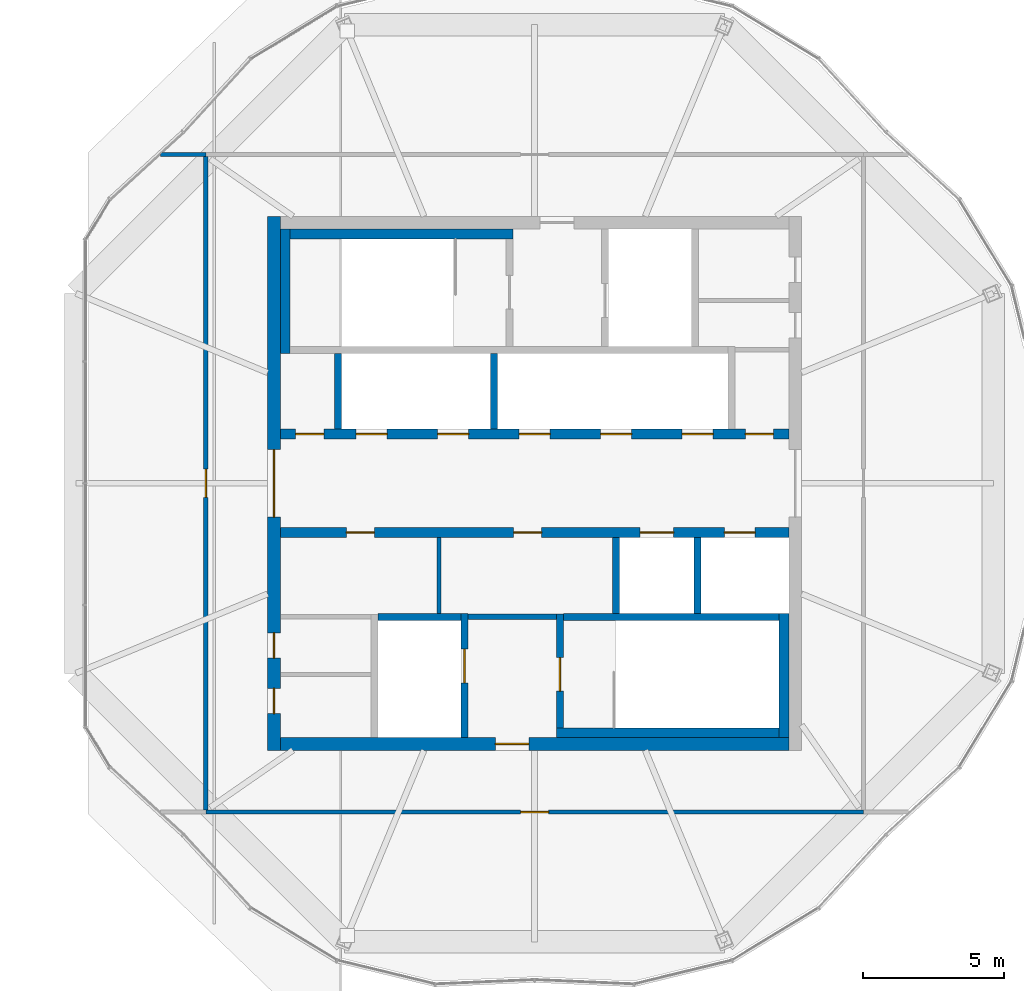
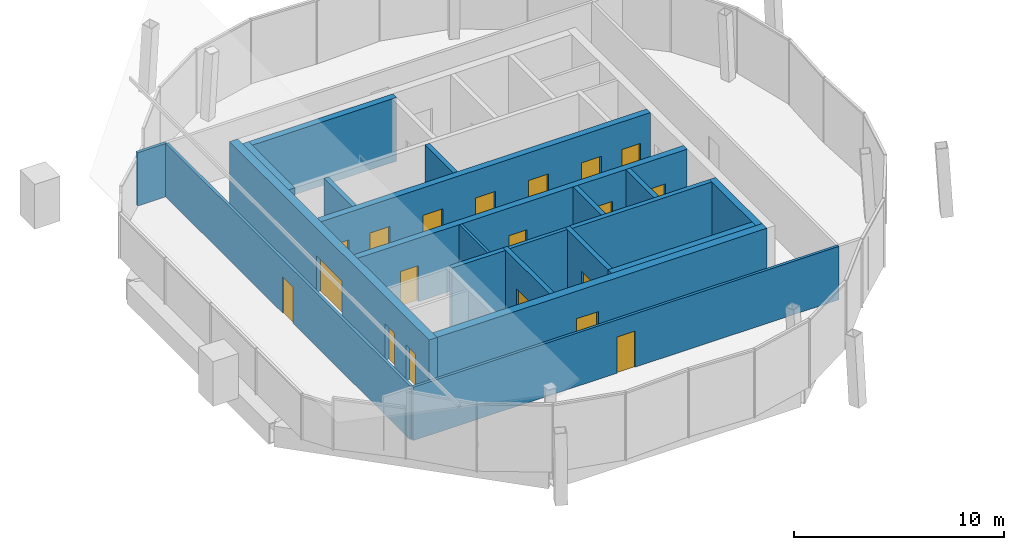
# One storey, part 19 of 23: 21 walls, 19 doors, 19 openings.
"""IFC4 building model written with IfcOpenShell, lengths in metres."""

from ifc_helpers import new_model, si_unit, direction, frame, frame_2d, origin, place, context, subcontext, project, spatial, rectangle, extrude, material, layer, layer_set, type_object, element, fill, save


model = new_model("IFC4")

# Units and contexts
model_context = context("Model", 3, precision=1e-05, world=origin(), true_north=direction((0.0, 1.0)))
body_context = subcontext(model_context, "Body", "Model", "MODEL_VIEW")
ifc_project = project(units=[si_unit("LENGTHUNIT", "METRE"), si_unit("AREAUNIT", "SQUARE_METRE"), si_unit("VOLUMEUNIT", "CUBIC_METRE"), si_unit("PLANEANGLEUNIT", "RADIAN"), si_unit("MASSUNIT", "GRAM", prefix="KILO")], contexts=[model_context])

# Site, building, storey
site_placement = place(None, origin())
site = spatial("IfcSite", under=ifc_project, at=site_placement, CompositionType="ELEMENT")
building_placement = place(site_placement, origin())
building = spatial("IfcBuilding", under=site, at=building_placement, Name="Ogive Gate Towers", CompositionType="ELEMENT")
storey_placement = place(building_placement, frame((0.0, 0.0, 302.0)))
storey = spatial("IfcBuildingStorey", under=building, at=storey_placement, Name="L71", CompositionType="ELEMENT", Elevation=302.0)

# Wall
ifc_material_1 = material(Name="Masonry blockwork", Category="masonry")
ifc_layer_1 = layer(ifc_material_1, 0.199951171875)
ifc_layer_set_1 = layer_set([ifc_layer_1], Name="Blockwork wall 200 mm")
wall_type_1 = type_object("IfcWallType", Name="Blockwork wall 200 mm", PredefinedType="PARTITIONING", material=ifc_layer_set_1)
wall_1_placement = place(storey_placement, frame((-38.375, -4.75, 0.0), z_axis=(0.0, 0.0, 1.0), x_axis=(1.0, 0.0, 0.0)))
element("IfcWall", 1, at=wall_1_placement, inside=storey, type_object=wall_type_1, Name="T1 L71 Blockwork wall 200 mm", PredefinedType="PARTITIONING", context=body_context, shape_type="SweptSolid", body=[
    extrude(rectangle(XDim=3.14990234375, YDim=0.199951171875, at=frame_2d((1.574951171875, 0.0))), origin(), (0.0, 0.0, 1.0), 3.699951171875),
])

# Wall, opening, door
ifc_material_2 = material(Name="Concrete C60/75", Category="concrete")
ifc_layer_2 = layer(ifc_material_2, 0.449951171875)
ifc_layer_set_2 = layer_set([ifc_layer_2], Name="Core wall 450 mm")
wall_type_2 = type_object("IfcWallType", Name="Core wall 450 mm", PredefinedType="SHEAR", material=ifc_layer_set_2)
wall_2_placement = place(storey_placement, frame((-45.050048828125, -9.27490234375, 0.0), z_axis=(0.0, 0.0, 1.0), x_axis=(1.0, 0.0, 0.0)))
wall_2 = element("IfcWall", 2, at=wall_2_placement, inside=storey, type_object=wall_type_2, Name="T1 L71 Core wall 450 mm", PredefinedType="SHEAR", context=body_context, shape_type="SweptSolid", body=[
    extrude(rectangle(XDim=18.10009765625, YDim=0.449951171875, at=frame_2d((9.050048828125, 0.0))), origin(), (0.0, 0.0, 1.0), 3.699951171875),
])
opening_1_placement = place(wall_2_placement, frame((7.64990234375, 0.0, 0.0)))
opening_1 = element("IfcOpeningElement", 3, at=opening_1_placement, cuts=wall_2, Name="Opening KD-T1-L71-19", PredefinedType="OPENING", context=body_context, shape_type="SweptSolid", body=[
    extrude(rectangle(XDim=1.199951171875, YDim=2.10009765625, at=frame_2d((0.60009765625, 1.050048828125))), frame((0.0, 0.23486328125, 0.0), z_axis=(0.0, -1.0, 0.0), x_axis=(1.0, 0.0, 0.0)), (0.0, 0.0, 1.0), 0.469970703125),
])
ifc_material_3 = material(Name="Steel fire door", Category="steel")
door_type_1 = type_object("IfcDoorType", Name="Core door FD60S 1200 x 2100", OperationType="NOTDEFINED", PredefinedType="DOOR", material=ifc_material_3)
door_1_placement = place(opening_1_placement, origin())
door_1 = element("IfcDoor", 4, at=door_1_placement, inside=storey, type_object=door_type_1, Name="T1 L71 Fire-fighting lobby door", OperationType="SINGLE_SWING_RIGHT", OverallHeight=2.10009765625, OverallWidth=1.199951171875, PredefinedType="DOOR", context=body_context, shape_type="SweptSolid", body=[
    extrude(rectangle(XDim=1.199951171875, YDim=2.10009765625, at=frame_2d((0.60009765625, 1.050048828125))), frame((0.0, 0.02490234375, 0.0), z_axis=(0.0, -1.0, 0.0), x_axis=(1.0, 0.0, 0.0)), (0.0, 0.0, 1.0), 0.050048828125),
])
fill(opening_1, door_1)

# Wall, openings, doors
wall_3_placement = place(storey_placement, frame((-45.27490234375, -9.5, 0.0), z_axis=(0.0, 0.0, 1.0), x_axis=(0.0, 1.0, 0.0)))
wall_3 = element("IfcWall", 5, at=wall_3_placement, inside=storey, type_object=wall_type_2, Name="T1 L71 Core wall 450 mm", PredefinedType="SHEAR", context=body_context, shape_type="SweptSolid", body=[
    extrude(rectangle(XDim=19.0, YDim=0.449951171875, at=frame_2d((9.5, 0.0))), origin(), (0.0, 0.0, 1.0), 3.699951171875),
])
opening_2_placement = place(wall_3_placement, frame((8.300048828125, 0.0, 0.0)))
opening_2 = element("IfcOpeningElement", 6, at=opening_2_placement, cuts=wall_3, Name="Opening KD-T1-L71-01", PredefinedType="OPENING", context=body_context, shape_type="SweptSolid", body=[
    extrude(rectangle(XDim=2.39990234375, YDim=2.10009765625, at=frame_2d((1.199951171875, 1.050048828125))), frame((0.0, 0.23486328125, 0.0), z_axis=(0.0, -1.0, 0.0), x_axis=(1.0, 0.0, 0.0)), (0.0, 0.0, 1.0), 0.469970703125),
])
opening_3_placement = place(wall_3_placement, frame((1.300048828125, 0.0, 0.0)))
opening_3 = element("IfcOpeningElement", 7, at=opening_3_placement, cuts=wall_3, Name="Opening KD-T1-L71-22", PredefinedType="OPENING", context=body_context, shape_type="SweptSolid", body=[
    extrude(rectangle(XDim=0.89990234375, YDim=2.10009765625, at=frame_2d((0.449951171875, 1.050048828125))), frame((0.0, 0.23486328125, 0.0), z_axis=(0.0, -1.0, 0.0), x_axis=(1.0, 0.0, 0.0)), (0.0, 0.0, 1.0), 0.469970703125),
])
opening_4_placement = place(wall_3_placement, frame((3.27490234375, 0.0, 0.0)))
opening_4 = element("IfcOpeningElement", 8, at=opening_4_placement, cuts=wall_3, Name="Opening KD-T1-L71-23", PredefinedType="OPENING", context=body_context, shape_type="SweptSolid", body=[
    extrude(rectangle(XDim=0.89990234375, YDim=2.10009765625, at=frame_2d((0.449951171875, 1.050048828125))), frame((0.0, 0.23486328125, 0.0), z_axis=(0.0, -1.0, 0.0), x_axis=(1.0, 0.0, 0.0)), (0.0, 0.0, 1.0), 0.469970703125),
])
door_type_2 = type_object("IfcDoorType", Name="Core door FD60S 900 x 2100", OperationType="NOTDEFINED", PredefinedType="DOOR", material=ifc_material_3)
door_2_placement = place(opening_3_placement, origin())
door_2 = element("IfcDoor", 9, at=door_2_placement, inside=storey, type_object=door_type_2, Name="T1 L71 Core door", OperationType="SINGLE_SWING_LEFT", OverallHeight=2.10009765625, OverallWidth=0.89990234375, PredefinedType="DOOR", context=body_context, shape_type="SweptSolid", body=[
    extrude(rectangle(XDim=0.89990234375, YDim=2.10009765625, at=frame_2d((0.449951171875, 1.050048828125))), frame((0.0, 0.02490234375, 0.0), z_axis=(0.0, -1.0, 0.0), x_axis=(1.0, 0.0, 0.0)), (0.0, 0.0, 1.0), 0.050048828125),
])
fill(opening_3, door_2)
door_3_placement = place(opening_4_placement, origin())
door_3 = element("IfcDoor", 10, at=door_3_placement, inside=storey, type_object=door_type_2, Name="T1 L71 Core door", OperationType="SINGLE_SWING_RIGHT", OverallHeight=2.10009765625, OverallWidth=0.89990234375, PredefinedType="DOOR", context=body_context, shape_type="SweptSolid", body=[
    extrude(rectangle(XDim=0.89990234375, YDim=2.10009765625, at=frame_2d((0.449951171875, 1.050048828125))), frame((0.0, 0.02490234375, 0.0), z_axis=(0.0, -1.0, 0.0), x_axis=(1.0, 0.0, 0.0)), (0.0, 0.0, 1.0), 0.050048828125),
])
fill(opening_4, door_3)
door_type_3 = type_object("IfcDoorType", Name="Core double door FD60S 2400 x 2100", OperationType="DOUBLE_DOOR_SINGLE_SWING", PredefinedType="DOOR", material=ifc_material_3)
door_4_placement = place(opening_2_placement, origin())
door_4 = element("IfcDoor", 11, at=door_4_placement, inside=storey, type_object=door_type_3, Name="T1 L71 Core door double", OperationType="DOUBLE_DOOR_SINGLE_SWING", OverallHeight=2.10009765625, OverallWidth=2.39990234375, PredefinedType="DOOR", context=body_context, shape_type="SweptSolid", body=[
    extrude(rectangle(XDim=2.39990234375, YDim=2.10009765625, at=frame_2d((1.199951171875, 1.050048828125))), frame((0.0, 0.02490234375, 0.0), z_axis=(0.0, -1.0, 0.0), x_axis=(1.0, 0.0, 0.0)), (0.0, 0.0, 1.0), 0.050048828125),
])
fill(opening_2, door_4)

# Wall
ifc_material_4 = material(Name="Fire-rated gypsum board partition")
ifc_layer_3 = layer(ifc_material_4, 0.14990234375)
ifc_layer_set_3 = layer_set([ifc_layer_3], Name="Partition wall 150")
wall_type_3 = type_object("IfcWallType", Name="Partition wall 150", PredefinedType="PARTITIONING", material=ifc_layer_set_3)
wall_4_placement = place(storey_placement, frame((-49.3095703125, 11.699951171875, 0.0), z_axis=(0.0, 0.0, 1.0), x_axis=(1.0, 0.0, 0.0)))
element("IfcWall", 12, at=wall_4_placement, inside=storey, type_object=wall_type_3, Name="L71 partition 001", PredefinedType="PARTITIONING", context=body_context, shape_type="SweptSolid", body=[
    extrude(rectangle(XDim=1.609619140625, YDim=0.14990234375, at=frame_2d((0.8046875, 0.0))), origin(), (0.0, 0.0, 1.0), 3.10009765625),
])

# Wall, opening, door
wall_5_placement = place(storey_placement, frame((-47.699951171875, -11.699951171875, 0.0), z_axis=(0.0, 0.0, 1.0), x_axis=(1.0, 0.0, 0.0)))
wall_5 = element("IfcWall", 13, at=wall_5_placement, inside=storey, type_object=wall_type_3, Name="L71 partition 006", PredefinedType="PARTITIONING", context=body_context, shape_type="SweptSolid", body=[
    extrude(rectangle(XDim=23.39990234375, YDim=0.14990234375, at=frame_2d((11.699951171875, 0.0))), origin(), (0.0, 0.0, 1.0), 3.10009765625),
])
opening_5_placement = place(wall_5_placement, frame((11.199951171875, 0.0, 0.0)))
opening_5 = element("IfcOpeningElement", 14, at=opening_5_placement, cuts=wall_5, Name="Opening PO315", PredefinedType="OPENING", context=body_context, shape_type="SweptSolid", body=[
    extrude(rectangle(XDim=1.0, YDim=2.10009765625, at=frame_2d((0.5, 1.050048828125))), frame((0.0, 0.0849609375, 0.0), z_axis=(0.0, -1.0, 0.0), x_axis=(1.0, 0.0, 0.0)), (0.0, 0.0, 1.0), 0.169921875),
])
door_type_4 = type_object("IfcDoorType", Name="Interior fire door FD60S 1000 x 2100", OperationType="NOTDEFINED", PredefinedType="DOOR", material=ifc_material_3)
door_5_placement = place(opening_5_placement, origin())
door_5 = element("IfcDoor", 15, at=door_5_placement, inside=storey, type_object=door_type_4, Name="Door PO315", OperationType="SINGLE_SWING_LEFT", OverallHeight=2.10009765625, OverallWidth=1.0, PredefinedType="DOOR", context=body_context, shape_type="SweptSolid", body=[
    extrude(rectangle(XDim=1.0, YDim=2.10009765625, at=frame_2d((0.5, 1.050048828125))), frame((0.0, 0.02490234375, 0.0), z_axis=(0.0, -1.0, 0.0), x_axis=(1.0, 0.0, 0.0)), (0.0, 0.0, 1.0), 0.050048828125),
])
fill(opening_5, door_5)

wall_6_placement = place(storey_placement, frame((-47.699951171875, -11.625, 0.0), z_axis=(0.0, 0.0, 1.0), x_axis=(0.0, 1.0, 0.0)))
wall_6 = element("IfcWall", 16, at=wall_6_placement, inside=storey, type_object=wall_type_3, Name="L71 partition 007", PredefinedType="PARTITIONING", context=body_context, shape_type="SweptSolid", body=[
    extrude(rectangle(XDim=23.25, YDim=0.14990234375, at=frame_2d((11.625, 0.0))), origin(), (0.0, 0.0, 1.0), 3.10009765625),
])
opening_6_placement = place(wall_6_placement, frame((11.125, 0.0, 0.0)))
opening_6 = element("IfcOpeningElement", 17, at=opening_6_placement, cuts=wall_6, Name="Opening PO316", PredefinedType="OPENING", context=body_context, shape_type="SweptSolid", body=[
    extrude(rectangle(XDim=1.0, YDim=2.10009765625, at=frame_2d((0.5, 1.050048828125))), frame((0.0, 0.0849609375, 0.0), z_axis=(0.0, -1.0, 0.0), x_axis=(1.0, 0.0, 0.0)), (0.0, 0.0, 1.0), 0.169921875),
])
door_6_placement = place(opening_6_placement, origin())
door_6 = element("IfcDoor", 18, at=door_6_placement, inside=storey, type_object=door_type_4, Name="Door PO316", OperationType="SINGLE_SWING_RIGHT", OverallHeight=2.10009765625, OverallWidth=1.0, PredefinedType="DOOR", context=body_context, shape_type="SweptSolid", body=[
    extrude(rectangle(XDim=1.0, YDim=2.10009765625, at=frame_2d((0.5, 1.050048828125))), frame((0.0, 0.02490234375, 0.0), z_axis=(0.0, -1.0, 0.0), x_axis=(1.0, 0.0, 0.0)), (0.0, 0.0, 1.0), 0.050048828125),
])
fill(opening_6, door_6)

# Walls
ifc_material_5 = material(Name="Gypsum board partition")
ifc_layer_4 = layer(ifc_material_5, 0.14990234375)
ifc_layer_set_4 = layer_set([ifc_layer_4], Name="Room partition 150 mm")
wall_type_4 = type_object("IfcWallType", Name="Room partition 150 mm", PredefinedType="PARTITIONING", material=ifc_layer_set_4)
wall_7_placement = place(storey_placement, frame((-39.39990234375, -4.625, 0.0), z_axis=(0.0, 0.0, 1.0), x_axis=(0.0, 1.0, 0.0)))
element("IfcWall", 19, at=wall_7_placement, inside=storey, type_object=wall_type_4, Name="T1 L71 Room partition 150 mm", PredefinedType="PARTITIONING", context=body_context, shape_type="SweptSolid", body=[
    extrude(rectangle(XDim=2.699951171875, YDim=0.14990234375, at=frame_2d((1.35009765625, 0.0))), origin(), (0.0, 0.0, 1.0), 3.699951171875),
])
ifc_layer_5 = layer(ifc_material_2, 0.25)
ifc_layer_set_5 = layer_set([ifc_layer_5], Name="Shaft wall 250 mm")
wall_type_5 = type_object("IfcWallType", Name="Shaft wall 250 mm", PredefinedType="SHEAR", material=ifc_layer_set_5)
wall_8_placement = place(storey_placement, frame((-41.574951171875, -4.75, 0.0), z_axis=(0.0, 0.0, 1.0), x_axis=(1.0, 0.0, 0.0)))
element("IfcWall", 20, at=wall_8_placement, inside=storey, type_object=wall_type_5, Name="T1 L71 Shaft wall 250 mm", PredefinedType="SHEAR", context=body_context, shape_type="SweptSolid", body=[
    extrude(rectangle(XDim=2.949951171875, YDim=0.25, at=frame_2d((1.47509765625, 0.0))), origin(), (0.0, 0.0, 1.0), 3.699951171875),
])
wall_9_placement = place(storey_placement, frame((-34.97509765625, -4.75, 0.0), z_axis=(0.0, 0.0, 1.0), x_axis=(1.0, 0.0, 0.0)))
element("IfcWall", 21, at=wall_9_placement, inside=storey, type_object=wall_type_5, Name="T1 L71 Shaft wall 250 mm", PredefinedType="SHEAR", context=body_context, shape_type="SweptSolid", body=[
    extrude(rectangle(XDim=7.675048828125, YDim=0.25, at=frame_2d((3.83740234375, 0.0))), origin(), (0.0, 0.0, 1.0), 3.699951171875),
])
wall_10_placement = place(storey_placement, frame((-43.0, 1.925048828125, 0.0), z_axis=(0.0, 0.0, 1.0), x_axis=(0.0, 1.0, 0.0)))
element("IfcWall", 22, at=wall_10_placement, inside=storey, type_object=wall_type_5, Name="T1 L71 Shaft wall 250 mm", PredefinedType="SHEAR", context=body_context, shape_type="SweptSolid", body=[
    extrude(rectangle(XDim=2.699951171875, YDim=0.25, at=frame_2d((1.35009765625, 0.0))), origin(), (0.0, 0.0, 1.0), 3.699951171875),
])

# Wall, opening, door
wall_11_placement = place(storey_placement, frame((-38.5, -9.050048828125, 0.0), z_axis=(0.0, 0.0, 1.0), x_axis=(0.0, 1.0, 0.0)))
wall_11 = element("IfcWall", 23, at=wall_11_placement, inside=storey, type_object=wall_type_5, Name="T1 L71 Shaft wall 250 mm", PredefinedType="SHEAR", context=body_context, shape_type="SweptSolid", body=[
    extrude(rectangle(XDim=4.425048828125, YDim=0.25, at=frame_2d((2.21240234375, 0.0))), origin(), (0.0, 0.0, 1.0), 3.699951171875),
])
opening_7_placement = place(wall_11_placement, frame((1.949951171875, 0.0, 0.0)))
opening_7 = element("IfcOpeningElement", 24, at=opening_7_placement, cuts=wall_11, Name="Opening LD-T1-L71-13", PredefinedType="OPENING", context=body_context, shape_type="SweptSolid", body=[
    extrude(rectangle(XDim=1.199951171875, YDim=2.10009765625, at=frame_2d((0.60009765625, 1.050048828125))), frame((0.0, 0.135009765625, 0.0), z_axis=(0.0, -1.0, 0.0), x_axis=(1.0, 0.0, 0.0)), (0.0, 0.0, 1.0), 0.27001953125),
])
ifc_material_6 = material(Name="Stainless steel landing door", Category="steel")
door_type_5 = type_object("IfcDoorType", Name="Landing door 1200 x 2100", OperationType="SLIDING_TO_LEFT", PredefinedType="DOOR", material=ifc_material_6)
door_7_placement = place(opening_7_placement, origin())
door_7 = element("IfcDoor", 25, at=door_7_placement, inside=storey, type_object=door_type_5, Name="T1 L71 Lift landing door FF2", OperationType="SLIDING_TO_LEFT", OverallHeight=2.10009765625, OverallWidth=1.199951171875, PredefinedType="DOOR", context=body_context, shape_type="SweptSolid", body=[
    extrude(rectangle(XDim=1.199951171875, YDim=2.10009765625, at=frame_2d((0.60009765625, 1.050048828125))), frame((0.0, 0.02490234375, 0.0), z_axis=(0.0, -1.0, 0.0), x_axis=(1.0, 0.0, 0.0)), (0.0, 0.0, 1.0), 0.050048828125),
])
fill(opening_7, door_7)

# Wall
wall_12_placement = place(storey_placement, frame((-37.449951171875, 1.925048828125, 0.0), z_axis=(0.0, 0.0, 1.0), x_axis=(0.0, 1.0, 0.0)))
element("IfcWall", 26, at=wall_12_placement, inside=storey, type_object=wall_type_5, Name="T1 L71 Shaft wall 250 mm", PredefinedType="SHEAR", context=body_context, shape_type="SweptSolid", body=[
    extrude(rectangle(XDim=2.699951171875, YDim=0.25, at=frame_2d((1.35009765625, 0.0))), origin(), (0.0, 0.0, 1.0), 3.699951171875),
])

# Wall, opening, door
wall_13_placement = place(storey_placement, frame((-35.10009765625, -8.699951171875, 0.0), z_axis=(0.0, 0.0, 1.0), x_axis=(0.0, 1.0, 0.0)))
wall_13 = element("IfcWall", 27, at=wall_13_placement, inside=storey, type_object=wall_type_5, Name="T1 L71 Shaft wall 250 mm", PredefinedType="SHEAR", context=body_context, shape_type="SweptSolid", body=[
    extrude(rectangle(XDim=4.050048828125, YDim=0.25, at=frame_2d((2.02490234375, 0.0))), origin(), (0.0, 0.0, 1.0), 3.699951171875),
])
opening_8_placement = place(wall_13_placement, frame((1.300048828125, 0.0, 0.0)))
opening_8 = element("IfcOpeningElement", 28, at=opening_8_placement, cuts=wall_13, Name="Opening KD-T1-L71-17", PredefinedType="OPENING", context=body_context, shape_type="SweptSolid", body=[
    extrude(rectangle(XDim=1.199951171875, YDim=2.10009765625, at=frame_2d((0.60009765625, 1.050048828125))), frame((0.0, 0.135009765625, 0.0), z_axis=(0.0, -1.0, 0.0), x_axis=(1.0, 0.0, 0.0)), (0.0, 0.0, 1.0), 0.27001953125),
])
door_8_placement = place(opening_8_placement, origin())
door_8 = element("IfcDoor", 29, at=door_8_placement, inside=storey, type_object=door_type_1, Name="T1 L71 Stair door", OperationType="SINGLE_SWING_RIGHT", OverallHeight=2.10009765625, OverallWidth=1.199951171875, PredefinedType="DOOR", context=body_context, shape_type="SweptSolid", body=[
    extrude(rectangle(XDim=1.199951171875, YDim=2.10009765625, at=frame_2d((0.60009765625, 1.050048828125))), frame((0.0, 0.02490234375, 0.0), z_axis=(0.0, -1.0, 0.0), x_axis=(1.0, 0.0, 0.0)), (0.0, 0.0, 1.0), 0.050048828125),
])
fill(opening_8, door_8)

# Walls
for number, where, z_axis, x_axis, name in (
    (30, (-33.10009765625, -4.625, 0.0), (0.0, 0.0, 1.0), (0.0, 1.0, 0.0), "T1 L71 Shaft wall 250 mm"),
    (31, (-30.199951171875, -4.625, 0.0), (0.0, 0.0, 1.0), (0.0, 1.0, 0.0), "T1 L71 Shaft wall 250 mm"),
):
    element("IfcWall", number, at=place(storey_placement, frame(where, z_axis=z_axis, x_axis=x_axis)), inside=storey, type_object=wall_type_5, Name=name, PredefinedType="SHEAR", context=body_context, shape_type="SweptSolid", body=[
        extrude(rectangle(XDim=2.699951171875, YDim=0.25, at=frame_2d((1.35009765625, 0.0))), origin(), (0.0, 0.0, 1.0), 3.699951171875),
    ])

# Wall, openings, doors
ifc_layer_6 = layer(ifc_material_2, 0.35009765625)
ifc_layer_set_6 = layer_set([ifc_layer_6], Name="Spine wall 350 mm")
wall_type_6 = type_object("IfcWallType", Name="Spine wall 350 mm", PredefinedType="SHEAR", material=ifc_layer_set_6)
wall_14_placement = place(storey_placement, frame((-45.050048828125, -1.75, 0.0), z_axis=(0.0, 0.0, 1.0), x_axis=(1.0, 0.0, 0.0)))
wall_14 = element("IfcWall", 32, at=wall_14_placement, inside=storey, type_object=wall_type_6, Name="T1 L71 Spine wall 350 mm", PredefinedType="SHEAR", context=body_context, shape_type="SweptSolid", body=[
    extrude(rectangle(XDim=18.10009765625, YDim=0.35009765625, at=frame_2d((9.050048828125, 0.0))), origin(), (0.0, 0.0, 1.0), 3.699951171875),
])
opening_9_placement = place(wall_14_placement, frame((12.800048828125, 0.0, 0.0)))
opening_9 = element("IfcOpeningElement", 33, at=opening_9_placement, cuts=wall_14, Name="Opening LD-T1-L71-10", PredefinedType="OPENING", context=body_context, shape_type="SweptSolid", body=[
    extrude(rectangle(XDim=1.199951171875, YDim=2.10009765625, at=frame_2d((0.60009765625, 1.050048828125))), frame((0.0, 0.18505859375, 0.0), z_axis=(0.0, -1.0, 0.0), x_axis=(1.0, 0.0, 0.0)), (0.0, 0.0, 1.0), 0.3701171875),
])
opening_10_placement = place(wall_14_placement, frame((15.800048828125, 0.0, 0.0)))
opening_10 = element("IfcOpeningElement", 34, at=opening_10_placement, cuts=wall_14, Name="Opening LD-T1-L71-11", PredefinedType="OPENING", context=body_context, shape_type="SweptSolid", body=[
    extrude(rectangle(XDim=1.10009765625, YDim=2.10009765625, at=frame_2d((0.550048828125, 1.050048828125))), frame((0.0, 0.18505859375, 0.0), z_axis=(0.0, -1.0, 0.0), x_axis=(1.0, 0.0, 0.0)), (0.0, 0.0, 1.0), 0.3701171875),
])
opening_11_placement = place(wall_14_placement, frame((2.35009765625, 0.0, 0.0)))
opening_11 = element("IfcOpeningElement", 35, at=opening_11_placement, cuts=wall_14, Name="Opening KD-T1-L71-14", PredefinedType="OPENING", context=body_context, shape_type="SweptSolid", body=[
    extrude(rectangle(XDim=1.0, YDim=2.10009765625, at=frame_2d((0.5, 1.050048828125))), frame((0.0, 0.18505859375, 0.0), z_axis=(0.0, -1.0, 0.0), x_axis=(1.0, 0.0, 0.0)), (0.0, 0.0, 1.0), 0.3701171875),
])
opening_12_placement = place(wall_14_placement, frame((8.300048828125, 0.0, 0.0)))
opening_12 = element("IfcOpeningElement", 36, at=opening_12_placement, cuts=wall_14, Name="Opening KD-T1-L71-15", PredefinedType="OPENING", context=body_context, shape_type="SweptSolid", body=[
    extrude(rectangle(XDim=1.0, YDim=2.10009765625, at=frame_2d((0.5, 1.050048828125))), frame((0.0, 0.18505859375, 0.0), z_axis=(0.0, -1.0, 0.0), x_axis=(1.0, 0.0, 0.0)), (0.0, 0.0, 1.0), 0.3701171875),
])
door_type_6 = type_object("IfcDoorType", Name="Core door FD60S 1000 x 2100", OperationType="NOTDEFINED", PredefinedType="DOOR", material=ifc_material_3)
door_9_placement = place(opening_11_placement, origin())
door_9 = element("IfcDoor", 37, at=door_9_placement, inside=storey, type_object=door_type_6, Name="T1 L71 Core door", OperationType="SINGLE_SWING_LEFT", OverallHeight=2.10009765625, OverallWidth=1.0, PredefinedType="DOOR", context=body_context, shape_type="SweptSolid", body=[
    extrude(rectangle(XDim=1.0, YDim=2.10009765625, at=frame_2d((0.5, 1.050048828125))), frame((0.0, 0.02490234375, 0.0), z_axis=(0.0, -1.0, 0.0), x_axis=(1.0, 0.0, 0.0)), (0.0, 0.0, 1.0), 0.050048828125),
])
fill(opening_11, door_9)
door_10_placement = place(opening_12_placement, origin())
door_10 = element("IfcDoor", 38, at=door_10_placement, inside=storey, type_object=door_type_6, Name="T1 L71 Core door", OperationType="SINGLE_SWING_RIGHT", OverallHeight=2.10009765625, OverallWidth=1.0, PredefinedType="DOOR", context=body_context, shape_type="SweptSolid", body=[
    extrude(rectangle(XDim=1.0, YDim=2.10009765625, at=frame_2d((0.5, 1.050048828125))), frame((0.0, 0.02490234375, 0.0), z_axis=(0.0, -1.0, 0.0), x_axis=(1.0, 0.0, 0.0)), (0.0, 0.0, 1.0), 0.050048828125),
])
fill(opening_12, door_10)
door_type_7 = type_object("IfcDoorType", Name="Landing door 1100 x 2100", OperationType="SLIDING_TO_LEFT", PredefinedType="DOOR", material=ifc_material_6)
door_11_placement = place(opening_10_placement, origin())
door_11 = element("IfcDoor", 39, at=door_11_placement, inside=storey, type_object=door_type_7, Name="T1 L71 Lift landing door B6", OperationType="SLIDING_TO_LEFT", OverallHeight=2.10009765625, OverallWidth=1.10009765625, PredefinedType="DOOR", context=body_context, shape_type="SweptSolid", body=[
    extrude(rectangle(XDim=1.10009765625, YDim=2.10009765625, at=frame_2d((0.550048828125, 1.050048828125))), frame((0.0, 0.02490234375, 0.0), z_axis=(0.0, -1.0, 0.0), x_axis=(1.0, 0.0, 0.0)), (0.0, 0.0, 1.0), 0.050048828125),
])
fill(opening_10, door_11)
door_12_placement = place(opening_9_placement, origin())
door_12 = element("IfcDoor", 40, at=door_12_placement, inside=storey, type_object=door_type_5, Name="T1 L71 Lift landing door SVC", OperationType="SLIDING_TO_LEFT", OverallHeight=2.10009765625, OverallWidth=1.199951171875, PredefinedType="DOOR", context=body_context, shape_type="SweptSolid", body=[
    extrude(rectangle(XDim=1.199951171875, YDim=2.10009765625, at=frame_2d((0.60009765625, 1.050048828125))), frame((0.0, 0.02490234375, 0.0), z_axis=(0.0, -1.0, 0.0), x_axis=(1.0, 0.0, 0.0)), (0.0, 0.0, 1.0), 0.050048828125),
])
fill(opening_9, door_12)

wall_15_placement = place(storey_placement, frame((-45.050048828125, 1.75, 0.0), z_axis=(0.0, 0.0, 1.0), x_axis=(1.0, 0.0, 0.0)))
wall_15 = element("IfcWall", 41, at=wall_15_placement, inside=storey, type_object=wall_type_6, Name="T1 L71 Spine wall 350 mm", PredefinedType="SHEAR", context=body_context, shape_type="SweptSolid", body=[
    extrude(rectangle(XDim=18.10009765625, YDim=0.35009765625, at=frame_2d((9.050048828125, 0.0))), origin(), (0.0, 0.0, 1.0), 3.699951171875),
])
opening_13_placement = place(wall_15_placement, frame((0.550048828125, 0.0, 0.0)))
opening_13 = element("IfcOpeningElement", 42, at=opening_13_placement, cuts=wall_15, Name="Opening KD-T1-L71-03", PredefinedType="OPENING", context=body_context, shape_type="SweptSolid", body=[
    extrude(rectangle(XDim=1.0, YDim=2.10009765625, at=frame_2d((0.5, 1.050048828125))), frame((0.0, 0.18505859375, 0.0), z_axis=(0.0, -1.0, 0.0), x_axis=(1.0, 0.0, 0.0)), (0.0, 0.0, 1.0), 0.3701171875),
])
opening_14_placement = place(wall_15_placement, frame((2.699951171875, 0.0, 0.0)))
opening_14 = element("IfcOpeningElement", 43, at=opening_14_placement, cuts=wall_15, Name="Opening LD-T1-L71-04", PredefinedType="OPENING", context=body_context, shape_type="SweptSolid", body=[
    extrude(rectangle(XDim=1.10009765625, YDim=2.10009765625, at=frame_2d((0.550048828125, 1.050048828125))), frame((0.0, 0.18505859375, 0.0), z_axis=(0.0, -1.0, 0.0), x_axis=(1.0, 0.0, 0.0)), (0.0, 0.0, 1.0), 0.3701171875),
])
opening_15_placement = place(wall_15_placement, frame((5.60009765625, 0.0, 0.0)))
opening_15 = element("IfcOpeningElement", 44, at=opening_15_placement, cuts=wall_15, Name="Opening LD-T1-L71-05", PredefinedType="OPENING", context=body_context, shape_type="SweptSolid", body=[
    extrude(rectangle(XDim=1.10009765625, YDim=2.10009765625, at=frame_2d((0.550048828125, 1.050048828125))), frame((0.0, 0.18505859375, 0.0), z_axis=(0.0, -1.0, 0.0), x_axis=(1.0, 0.0, 0.0)), (0.0, 0.0, 1.0), 0.3701171875),
])
opening_16_placement = place(wall_15_placement, frame((8.5, 0.0, 0.0)))
opening_16 = element("IfcOpeningElement", 45, at=opening_16_placement, cuts=wall_15, Name="Opening LD-T1-L71-06", PredefinedType="OPENING", context=body_context, shape_type="SweptSolid", body=[
    extrude(rectangle(XDim=1.10009765625, YDim=2.10009765625, at=frame_2d((0.550048828125, 1.050048828125))), frame((0.0, 0.18505859375, 0.0), z_axis=(0.0, -1.0, 0.0), x_axis=(1.0, 0.0, 0.0)), (0.0, 0.0, 1.0), 0.3701171875),
])
opening_17_placement = place(wall_15_placement, frame((11.39990234375, 0.0, 0.0)))
opening_17 = element("IfcOpeningElement", 46, at=opening_17_placement, cuts=wall_15, Name="Opening LD-T1-L71-07", PredefinedType="OPENING", context=body_context, shape_type="SweptSolid", body=[
    extrude(rectangle(XDim=1.10009765625, YDim=2.10009765625, at=frame_2d((0.550048828125, 1.050048828125))), frame((0.0, 0.18505859375, 0.0), z_axis=(0.0, -1.0, 0.0), x_axis=(1.0, 0.0, 0.0)), (0.0, 0.0, 1.0), 0.3701171875),
])
opening_18_placement = place(wall_15_placement, frame((14.300048828125, 0.0, 0.0)))
opening_18 = element("IfcOpeningElement", 47, at=opening_18_placement, cuts=wall_15, Name="Opening LD-T1-L71-08", PredefinedType="OPENING", context=body_context, shape_type="SweptSolid", body=[
    extrude(rectangle(XDim=1.10009765625, YDim=2.10009765625, at=frame_2d((0.550048828125, 1.050048828125))), frame((0.0, 0.18505859375, 0.0), z_axis=(0.0, -1.0, 0.0), x_axis=(1.0, 0.0, 0.0)), (0.0, 0.0, 1.0), 0.3701171875),
])
opening_19_placement = place(wall_15_placement, frame((16.550048828125, 0.0, 0.0)))
opening_19 = element("IfcOpeningElement", 48, at=opening_19_placement, cuts=wall_15, Name="Opening KD-T1-L71-09", PredefinedType="OPENING", context=body_context, shape_type="SweptSolid", body=[
    extrude(rectangle(XDim=1.0, YDim=2.10009765625, at=frame_2d((0.5, 1.050048828125))), frame((0.0, 0.18505859375, 0.0), z_axis=(0.0, -1.0, 0.0), x_axis=(1.0, 0.0, 0.0)), (0.0, 0.0, 1.0), 0.3701171875),
])
door_13_placement = place(opening_13_placement, origin())
door_13 = element("IfcDoor", 49, at=door_13_placement, inside=storey, type_object=door_type_6, Name="T1 L71 Core door", OperationType="SINGLE_SWING_RIGHT", OverallHeight=2.10009765625, OverallWidth=1.0, PredefinedType="DOOR", context=body_context, shape_type="SweptSolid", body=[
    extrude(rectangle(XDim=1.0, YDim=2.10009765625, at=frame_2d((0.5, 1.050048828125))), frame((0.0, 0.02490234375, 0.0), z_axis=(0.0, -1.0, 0.0), x_axis=(1.0, 0.0, 0.0)), (0.0, 0.0, 1.0), 0.050048828125),
])
fill(opening_13, door_13)
door_14_placement = place(opening_19_placement, origin())
door_14 = element("IfcDoor", 50, at=door_14_placement, inside=storey, type_object=door_type_6, Name="T1 L71 Core door", OperationType="SINGLE_SWING_RIGHT", OverallHeight=2.10009765625, OverallWidth=1.0, PredefinedType="DOOR", context=body_context, shape_type="SweptSolid", body=[
    extrude(rectangle(XDim=1.0, YDim=2.10009765625, at=frame_2d((0.5, 1.050048828125))), frame((0.0, 0.02490234375, 0.0), z_axis=(0.0, -1.0, 0.0), x_axis=(1.0, 0.0, 0.0)), (0.0, 0.0, 1.0), 0.050048828125),
])
fill(opening_19, door_14)
door_15_placement = place(opening_14_placement, origin())
door_15 = element("IfcDoor", 51, at=door_15_placement, inside=storey, type_object=door_type_7, Name="T1 L71 Lift landing door B1", OperationType="SLIDING_TO_LEFT", OverallHeight=2.10009765625, OverallWidth=1.10009765625, PredefinedType="DOOR", context=body_context, shape_type="SweptSolid", body=[
    extrude(rectangle(XDim=1.10009765625, YDim=2.10009765625, at=frame_2d((0.550048828125, 1.050048828125))), frame((0.0, 0.02490234375, 0.0), z_axis=(0.0, -1.0, 0.0), x_axis=(1.0, 0.0, 0.0)), (0.0, 0.0, 1.0), 0.050048828125),
])
fill(opening_14, door_15)
door_16_placement = place(opening_15_placement, origin())
door_16 = element("IfcDoor", 52, at=door_16_placement, inside=storey, type_object=door_type_7, Name="T1 L71 Lift landing door B2", OperationType="SLIDING_TO_LEFT", OverallHeight=2.10009765625, OverallWidth=1.10009765625, PredefinedType="DOOR", context=body_context, shape_type="SweptSolid", body=[
    extrude(rectangle(XDim=1.10009765625, YDim=2.10009765625, at=frame_2d((0.550048828125, 1.050048828125))), frame((0.0, 0.02490234375, 0.0), z_axis=(0.0, -1.0, 0.0), x_axis=(1.0, 0.0, 0.0)), (0.0, 0.0, 1.0), 0.050048828125),
])
fill(opening_15, door_16)
door_17_placement = place(opening_16_placement, origin())
door_17 = element("IfcDoor", 53, at=door_17_placement, inside=storey, type_object=door_type_7, Name="T1 L71 Lift landing door B3", OperationType="SLIDING_TO_LEFT", OverallHeight=2.10009765625, OverallWidth=1.10009765625, PredefinedType="DOOR", context=body_context, shape_type="SweptSolid", body=[
    extrude(rectangle(XDim=1.10009765625, YDim=2.10009765625, at=frame_2d((0.550048828125, 1.050048828125))), frame((0.0, 0.02490234375, 0.0), z_axis=(0.0, -1.0, 0.0), x_axis=(1.0, 0.0, 0.0)), (0.0, 0.0, 1.0), 0.050048828125),
])
fill(opening_16, door_17)
door_18_placement = place(opening_17_placement, origin())
door_18 = element("IfcDoor", 54, at=door_18_placement, inside=storey, type_object=door_type_7, Name="T1 L71 Lift landing door B4", OperationType="SLIDING_TO_LEFT", OverallHeight=2.10009765625, OverallWidth=1.10009765625, PredefinedType="DOOR", context=body_context, shape_type="SweptSolid", body=[
    extrude(rectangle(XDim=1.10009765625, YDim=2.10009765625, at=frame_2d((0.550048828125, 1.050048828125))), frame((0.0, 0.02490234375, 0.0), z_axis=(0.0, -1.0, 0.0), x_axis=(1.0, 0.0, 0.0)), (0.0, 0.0, 1.0), 0.050048828125),
])
fill(opening_17, door_18)
door_19_placement = place(opening_18_placement, origin())
door_19 = element("IfcDoor", 55, at=door_19_placement, inside=storey, type_object=door_type_7, Name="T1 L71 Lift landing door B5", OperationType="SLIDING_TO_LEFT", OverallHeight=2.10009765625, OverallWidth=1.10009765625, PredefinedType="DOOR", context=body_context, shape_type="SweptSolid", body=[
    extrude(rectangle(XDim=1.10009765625, YDim=2.10009765625, at=frame_2d((0.550048828125, 1.050048828125))), frame((0.0, 0.02490234375, 0.0), z_axis=(0.0, -1.0, 0.0), x_axis=(1.0, 0.0, 0.0)), (0.0, 0.0, 1.0), 0.050048828125),
])
fill(opening_18, door_19)

# Walls
ifc_layer_7 = layer(ifc_material_2, 0.35009765625)
ifc_layer_set_7 = layer_set([ifc_layer_7], Name="Stair wall 350 mm")
wall_type_7 = type_object("IfcWallType", Name="Stair wall 350 mm", PredefinedType="SHEAR", material=ifc_layer_set_7)
for number, where, z_axis, x_axis, name in (
    (56, (-35.22509765625, -8.875, 0.0), (0.0, 0.0, 1.0), (1.0, 0.0, 0.0), "T1 L71 Stair wall 350 mm"),
    (57, (-44.699951171875, 8.875, 0.0), (0.0, 0.0, 1.0), (1.0, 0.0, 0.0), "T1 L71 Stair wall 350 mm"),
):
    element("IfcWall", number, at=place(storey_placement, frame(where, z_axis=z_axis, x_axis=x_axis)), inside=storey, type_object=wall_type_7, Name=name, PredefinedType="SHEAR", context=body_context, shape_type="SweptSolid", body=[
        extrude(rectangle(XDim=7.925048828125, YDim=0.35009765625, at=frame_2d((3.96240234375, 0.0))), origin(), (0.0, 0.0, 1.0), 3.699951171875),
    ])
for number, where, z_axis, x_axis, name in (
    (58, (-44.875, 4.625, 0.0), (0.0, 0.0, 1.0), (0.0, 1.0, 0.0), "T1 L71 Stair wall 350 mm"),
    (59, (-27.125, -9.050048828125, 0.0), (0.0, 0.0, 1.0), (0.0, 1.0, 0.0), "T1 L71 Stair wall 350 mm"),
):
    element("IfcWall", number, at=place(storey_placement, frame(where, z_axis=z_axis, x_axis=x_axis)), inside=storey, type_object=wall_type_7, Name=name, PredefinedType="SHEAR", context=body_context, shape_type="SweptSolid", body=[
        extrude(rectangle(XDim=4.425048828125, YDim=0.35009765625, at=frame_2d((2.21240234375, 0.0))), origin(), (0.0, 0.0, 1.0), 3.699951171875),
    ])

save(model, "model.ifc")
